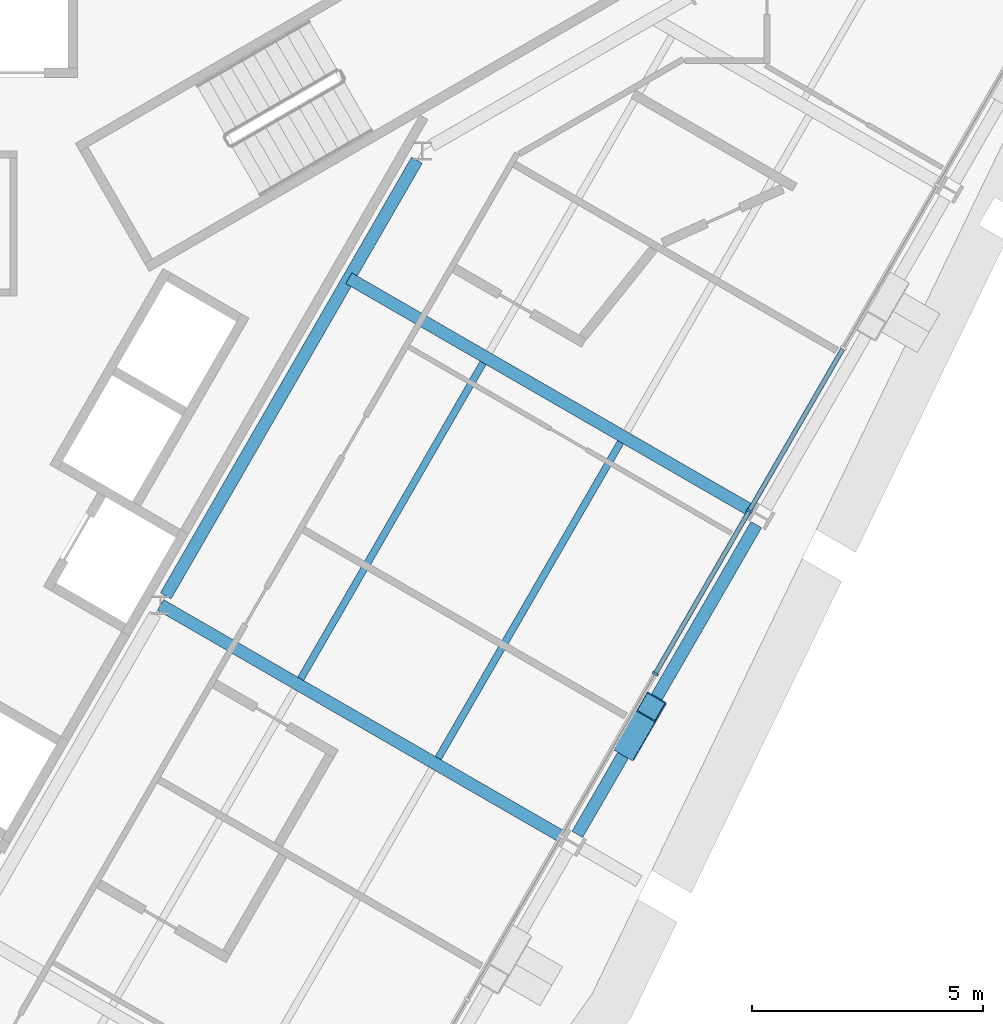
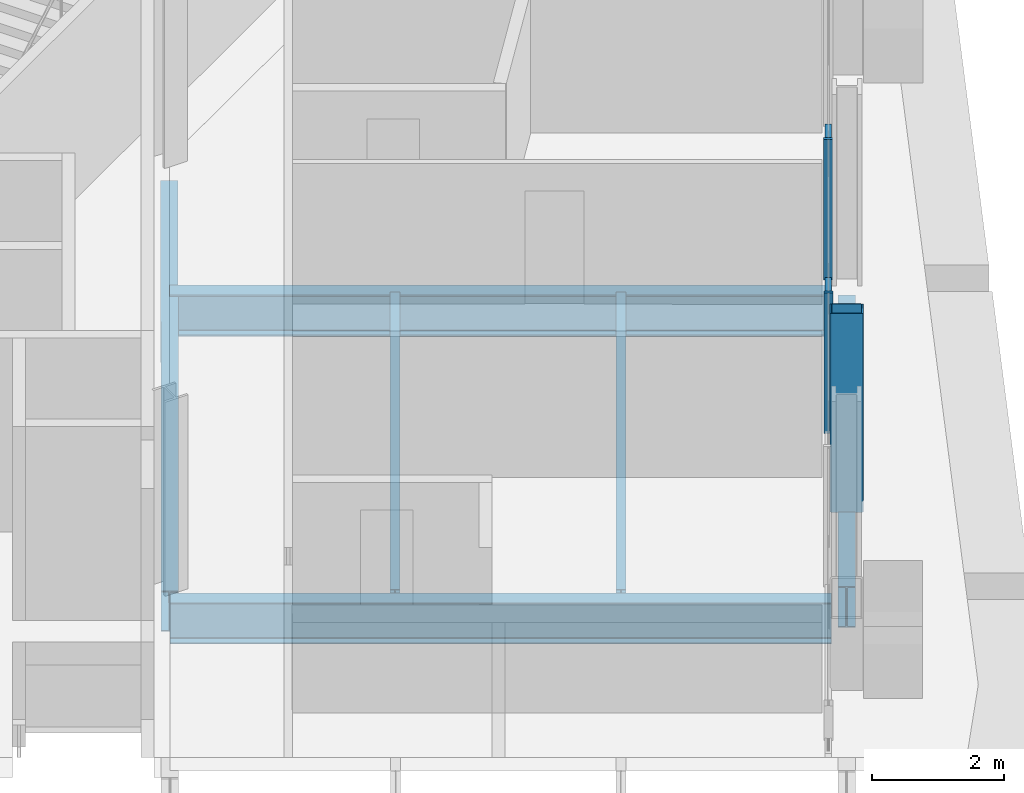
# One storey, part 6 of 19: 6 beams, 5 members, 1 element without a shape of its own.
"""IFC4 building model written with IfcOpenShell, lengths in metres."""

from ifc_helpers import new_model, si_unit, direction, frame, origin, origin_2d, place, context, subcontext, project, spatial, rectangle, hollow_rectangle, i_section, extrude, material, material_profile, profile_set, type_object, element, aggregate, save


model = new_model("IFC4")

# Units and contexts
model_context = context("Model", 3, precision=1e-05, world=origin(), true_north=direction((0.0, 1.0)))
body_context = subcontext(model_context, "Body", "Model", "MODEL_VIEW")
ifc_project = project(units=[si_unit("LENGTHUNIT", "METRE"), si_unit("AREAUNIT", "SQUARE_METRE"), si_unit("VOLUMEUNIT", "CUBIC_METRE"), si_unit("PLANEANGLEUNIT", "RADIAN"), si_unit("MASSUNIT", "GRAM", prefix="KILO")], contexts=[model_context])

# Site, building, storey
site_placement = place(None, origin())
site = spatial("IfcSite", under=ifc_project, at=site_placement, CompositionType="ELEMENT")
building_placement = place(site_placement, origin())
building = spatial("IfcBuilding", under=site, at=building_placement, Name="Verrane Prism Tower", CompositionType="ELEMENT")
storey_placement = place(building_placement, frame((0.0, 0.0, 125.199951171875)))
storey = spatial("IfcBuildingStorey", under=building, at=storey_placement, Name="L30", CompositionType="ELEMENT", Elevation=125.199951171875)

# Beam
ifc_material_1 = material(Name="Steel A992", Category="steel")
ifc_material_profile_1 = material_profile(ifc_material_1, i_section(OverallWidth=0.2666015625, OverallDepth=0.7568359375, WebThickness=0.013916015625, FlangeThickness=0.019287109375, FilletRadius=0.0166015625, at=origin_2d()), Name="W30x108")
ifc_profile_set_1 = profile_set([ifc_material_profile_1], Name="Steel A992")
beam_type_1 = type_object("IfcBeamType", Name="Core ring girder W30x108", PredefinedType="BEAM", material=ifc_profile_set_1)
beam_1_placement = place(storey_placement, frame((8.0849609375, -4.400634765625, -0.62841796875), z_axis=(0.4993706109, 0.866388476937, 0.0), x_axis=(-0.866388476937, 0.4993706109, 0.0)))
element("IfcBeam", 1, at=beam_1_placement, inside=storey, type_object=beam_type_1, Name="Core ring girder L30", PredefinedType="BEAM", context=body_context, shape_type="SweptSolid", body=[
    extrude(i_section(OverallWidth=0.2666015625, OverallDepth=0.7568359375, WebThickness=0.013916015625, FlangeThickness=0.019287109375, FilletRadius=0.0166015625, at=origin_2d()), origin(), (0.0, 0.0, 1.0), 10.8740234375),
])

# Member
ifc_material_2 = material(Name="Steel A1085 Grade A", Category="steel")
ifc_material_profile_2 = material_profile(ifc_material_2, hollow_rectangle(XDim=0.508056640625, YDim=0.508056640625, WallThickness=0.025390625, InnerFilletRadius=0.0126953125, OuterFilletRadius=0.0380859375, at=origin_2d()), Name="HSS20x20x1")
ifc_profile_set_2 = profile_set([ifc_material_profile_2], Name="Steel A1085 Grade A")
member_type_1 = type_object("IfcMemberType", Name="Facade brace HSS20x20x1", PredefinedType="BRACE", material=ifc_profile_set_2)
member_1_placement = place(storey_placement, frame((18.093505859375, -7.639892578125, -0.242431640625), z_axis=(0.154129040367, 0.266559843359, 0.951414782744), x_axis=(-0.865700871394, 0.500561685777, 0.0)))
element("IfcMember", 2, at=member_1_placement, inside=storey, type_object=member_type_1, Name="Facade brace SE3 L30", PredefinedType="BRACE", context=body_context, shape_type="SweptSolid", body=[
    extrude(hollow_rectangle(XDim=0.508056640625, YDim=0.508056640625, WallThickness=0.025390625, InnerFilletRadius=0.0126953125, OuterFilletRadius=0.0380859375, at=origin_2d()), origin(), (0.0, 0.0, 1.0), 3.16162109375),
])

# Beams
ifc_material_3 = material(Name="Steel A992", Category="steel")
ifc_material_profile_3 = material_profile(ifc_material_3, i_section(OverallWidth=0.15234375, OverallDepth=0.449462890625, WebThickness=0.007568359375, FlangeThickness=0.0107421875, FilletRadius=0.01025390625, at=origin_2d()), Name="W18x35")
ifc_profile_set_3 = profile_set([ifc_material_profile_3], Name="Steel A992")
beam_type_2 = type_object("IfcBeamType", Name="Floor beam W18x35", PredefinedType="BEAM", material=ifc_profile_set_3)
beam_2_placement = place(storey_placement, frame((13.9755859375, -7.910400390625, -0.384765625), z_axis=(0.500013573458, 0.866017567003, 0.0), x_axis=(-0.866017567003, 0.500013573458, 0.0)))
element("IfcBeam", 3, at=beam_2_placement, inside=storey, type_object=beam_type_2, Name="Floor beam L30", PredefinedType="BEAM", context=body_context, shape_type="SweptSolid", body=[
    extrude(i_section(OverallWidth=0.15234375, OverallDepth=0.449462890625, WebThickness=0.007568359375, FlangeThickness=0.0107421875, FilletRadius=0.01025390625, at=origin_2d()), origin(), (0.0, 0.0, 1.0), 7.888427734375),
])
beam_3_placement = place(storey_placement, frame((11.001708984375, -6.19482421875, -0.384765625), z_axis=(0.50000639086, 0.866021713988, 0.0), x_axis=(-0.866021713988, 0.50000639086, 0.0)))
element("IfcBeam", 4, at=beam_3_placement, inside=storey, type_object=beam_type_2, Name="Floor beam L30", PredefinedType="BEAM", context=body_context, shape_type="SweptSolid", body=[
    extrude(i_section(OverallWidth=0.15234375, OverallDepth=0.449462890625, WebThickness=0.007568359375, FlangeThickness=0.0107421875, FilletRadius=0.01025390625, at=origin_2d()), origin(), (0.0, 0.0, 1.0), 7.8896484375),
])

# Curtain wall, members
ifc_material_4 = material(Name="Aluminium framed insulated glazing", Category="aluminium")
curtain_wall_type = type_object("IfcCurtainWallType", Name="Curtain wall CW-C 4200 module", PredefinedType="NOTDEFINED", material=ifc_material_4)
curtain_wall_placement = place(storey_placement, origin())
curtain_wall = element("IfcCurtainWall", 5, at=curtain_wall_placement, inside=storey, type_object=curtain_wall_type, Name="Glazed curtain wall south-east face L30", PredefinedType="NOTDEFINED")
ifc_material_5 = material(Name="Aluminium alloy 6063-T6", Category="aluminium")
ifc_material_profile_4 = material_profile(ifc_material_5, rectangle(XDim=0.139892578125, YDim=0.050048828125, at=origin_2d()), Name="Mullion 50x140 aluminium")
ifc_profile_set_4 = profile_set([ifc_material_profile_4], Name="Aluminium alloy 6063-T6")
member_type_2 = type_object("IfcMemberType", Name="Mullion 50x140 aluminium", PredefinedType="MULLION", material=ifc_profile_set_4)
member_2_placement = place(storey_placement, frame((18.67041015625, -6.083984375, 0.0), z_axis=(0.0, 0.0, 1.0), x_axis=(-0.866025327793, 0.500000131621, 0.0)))
member_2 = element("IfcMember", 6, at=member_2_placement, type_object=member_type_2, Name="CW29.6 mullion 8", PredefinedType="MULLION", context=body_context, shape_type="SweptSolid", body=[
    extrude(rectangle(XDim=0.139892578125, YDim=0.050048828125, at=origin_2d()), origin(), (0.0, 0.0, 1.0), 2.613037109375),
])
member_3_placement = place(storey_placement, frame((20.70361328125, -2.562255859375, 0.0), z_axis=(0.0, 0.0, 1.0), x_axis=(-0.866025327793, 0.500000131621, 0.0)))
member_3 = element("IfcMember", 7, at=member_3_placement, type_object=member_type_2, Name="CW29.6 mullion 9", PredefinedType="MULLION", context=body_context, shape_type="SweptSolid", body=[
    extrude(rectangle(XDim=0.139892578125, YDim=0.050048828125, at=origin_2d()), origin(), (0.0, 0.0, 1.0), 2.613037109375),
])

# Beams
ifc_material_6 = material(Name="Steel A992", Category="steel")
ifc_material_profile_5 = material_profile(ifc_material_6, i_section(OverallWidth=0.2666015625, OverallDepth=0.76708984375, WebThickness=0.014892578125, FlangeThickness=0.023681640625, FilletRadius=0.0166015625, at=origin_2d()), Name="W30x124")
ifc_profile_set_5 = profile_set([ifc_material_profile_5], Name="Steel A992")
beam_type_3 = type_object("IfcBeamType", Name="Radial girder W30x124", PredefinedType="BEAM", material=ifc_profile_set_5)
beam_4_placement = place(storey_placement, frame((16.68310546875, -9.626220703125, -0.603515625), z_axis=(-0.866036042541, 0.49998157268, 0.0), x_axis=(-0.49998157268, -0.866036042541, 0.0)))
element("IfcBeam", 8, at=beam_4_placement, inside=storey, type_object=beam_type_3, Name="Radial girder L30", PredefinedType="BEAM", context=body_context, shape_type="SweptSolid", body=[
    extrude(i_section(OverallWidth=0.2666015625, OverallDepth=0.76708984375, WebThickness=0.014892578125, FlangeThickness=0.023681640625, FilletRadius=0.0166015625, at=origin_2d()), origin(), (0.0, 0.0, 1.0), 10.05908203125),
])
beam_5_placement = place(storey_placement, frame((20.76318359375, -2.56640625, -0.603515625), z_axis=(-0.866026084844, 0.499998820369, 0.0), x_axis=(-0.499998820369, -0.866026084844, 0.0)))
element("IfcBeam", 9, at=beam_5_placement, inside=storey, type_object=beam_type_3, Name="Radial girder L30", PredefinedType="BEAM", context=body_context, shape_type="SweptSolid", body=[
    extrude(i_section(OverallWidth=0.2666015625, OverallDepth=0.76708984375, WebThickness=0.014892578125, FlangeThickness=0.023681640625, FilletRadius=0.0166015625, at=origin_2d()), origin(), (0.0, 0.0, 1.0), 10.068359375),
])
ifc_material_7 = material(Name="Steel A992", Category="steel")
ifc_material_profile_6 = material_profile(ifc_material_7, i_section(OverallWidth=0.2666015625, OverallDepth=0.7568359375, WebThickness=0.013916015625, FlangeThickness=0.019287109375, FilletRadius=0.0166015625, at=origin_2d()), Name="W30x108")
ifc_profile_set_6 = profile_set([ifc_material_profile_6], Name="Steel A992")
beam_type_4 = type_object("IfcBeamType", Name="Spandrel beam W30x108", PredefinedType="SPANDREL", material=ifc_profile_set_6)
beam_6_placement = place(storey_placement, frame((16.98486328125, -9.55859375, -0.538330078125), z_axis=(0.500334388905, 0.865832258165, 0.0), x_axis=(-0.865832258165, 0.500334388905, 0.0)))
element("IfcBeam", 10, at=beam_6_placement, inside=storey, type_object=beam_type_4, Name="Spandrel beam L30", PredefinedType="SPANDREL", context=body_context, shape_type="SweptSolid", body=[
    extrude(i_section(OverallWidth=0.2666015625, OverallDepth=0.7568359375, WebThickness=0.013916015625, FlangeThickness=0.019287109375, FilletRadius=0.0166015625, at=origin_2d()), origin(), (0.0, 0.0, 1.0), 7.735107421875),
])

# Member
ifc_material_8 = material(Name="Aluminium alloy 6063-T6", Category="aluminium")
ifc_material_profile_7 = material_profile(ifc_material_8, rectangle(XDim=0.10009765625, YDim=0.050048828125, at=origin_2d()), Name="Transom 50x100 aluminium")
ifc_profile_set_7 = profile_set([ifc_material_profile_7], Name="Aluminium alloy 6063-T6")
member_type_3 = type_object("IfcMemberType", Name="Transom 50x100 aluminium", PredefinedType="USERDEFINED", material=ifc_profile_set_7)
member_4_placement = place(storey_placement, frame((18.682861328125, -6.062255859375, 0.025146484375), z_axis=(0.500022371132, 0.86601248742, 0.0), x_axis=(-0.86601248742, 0.500022371132, 0.0)))
member_4 = element("IfcMember", 11, at=member_4_placement, type_object=member_type_3, Name="CW29.6 transom 8", ObjectType="TRANSOM", PredefinedType="USERDEFINED", context=body_context, shape_type="SweptSolid", body=[
    extrude(rectangle(XDim=0.10009765625, YDim=0.050048828125, at=origin_2d()), origin(), (0.0, 0.0, 1.0), 4.016357421875),
])

member_5_placement = place(storey_placement, frame((20.716064453125, -2.54052734375, 0.025146484375), z_axis=(0.500022371132, 0.86601248742, 0.0), x_axis=(-0.86601248742, 0.500022371132, 0.0)))
member_5 = element("IfcMember", 12, at=member_5_placement, type_object=member_type_3, Name="CW29.6 transom 9", ObjectType="TRANSOM", PredefinedType="USERDEFINED", context=body_context, shape_type="SweptSolid", body=[
    extrude(rectangle(XDim=0.10009765625, YDim=0.050048828125, at=origin_2d()), origin(), (0.0, 0.0, 1.0), 4.016357421875),
])

aggregate(curtain_wall, [member_2, member_3, member_4, member_5])

save(model, "model.ifc")
